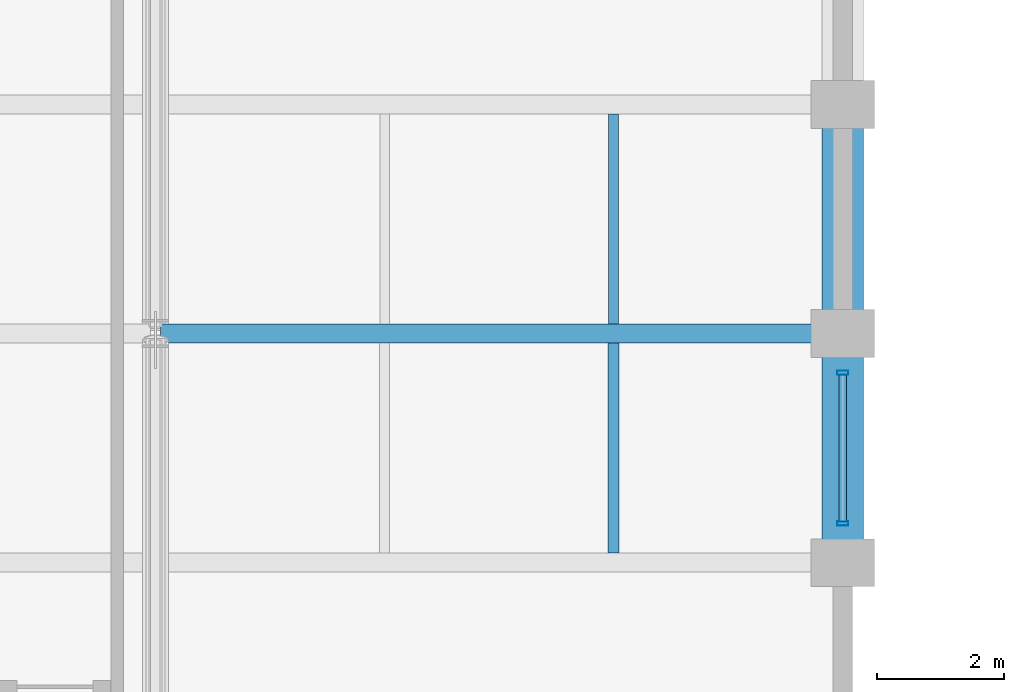
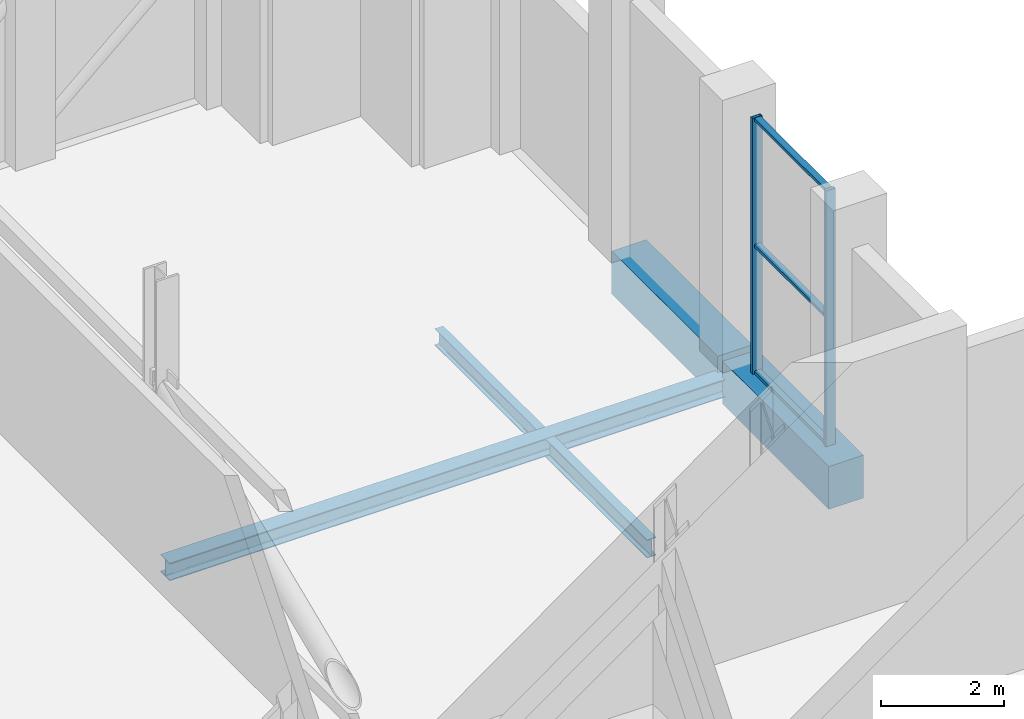
# One storey, part 7 of 19: 5 beams, 5 members, 1 element without a shape of its own.
"""IFC4 building model written with IfcOpenShell, lengths in metres."""

import ifcopenshell
import ifcopenshell.guid

model = None  # the IFC model being written
_history = None  # IfcOwnerHistory: only IFC2X3 demands one
_inside = {}  # id of a spatial element -> (the spatial element, [elements in it])
_under = {}  # id of a project, library or spatial element -> (it, [spatial elements below it])
_declared = {}  # id of a project -> (the project, [libraries it declares])
_typed = {}  # id of a type object -> (the type object, [elements of that type])
_made_of = {}  # id of a material, layer set ... -> (it, [elements and type objects made of it])


def new_model(schema):
    """Start an empty IFC model of exactly this schema.

    Asked for "IFC4X3", IfcOpenShell would pick the latest addendum, in which some entities
    have other attributes; the version numbers below select the first issue.
    IFC2X3 requires an IfcOwnerHistory on every rooted entity: one is made here for all.
    """
    global model, _history
    if schema == "IFC4X3":
        model = ifcopenshell.file(schema_version=(4, 3, 0, 0))
    else:
        model = ifcopenshell.file(schema=schema)
    _inside.clear()
    _under.clear()
    _declared.clear()
    _typed.clear()
    _made_of.clear()
    _history = None
    if model.schema == "IFC2X3":
        org = make("IfcOrganization", Name="unknown")
        user = make(
            "IfcPersonAndOrganization",
            ThePerson=make("IfcPerson", FamilyName="unknown"),
            TheOrganization=org,
        )
        app = make(
            "IfcApplication",
            ApplicationDeveloper=org,
            Version="unknown",
            ApplicationFullName="unknown",
            ApplicationIdentifier="unknown",
        )
        _history = make(
            "IfcOwnerHistory",
            OwningUser=user,
            OwningApplication=app,
            ChangeAction="ADDED",
            CreationDate=0,
        )
    return model


def make(cls, **values):
    """One entity of the class cls with the attributes given. An attribute that is None is left unset."""
    return model.create_entity(
        cls, **{name: value for name, value in values.items() if value is not None}
    )


def rooted(cls, **values):
    """An entity with a GlobalId (a new one), such as an element, a storey or a relation."""
    return make(cls, GlobalId=ifcopenshell.guid.new(), OwnerHistory=_history, **values)


def si_unit(unit_type, name, prefix=None):
    """IfcSIUnit, for example si_unit("LENGTHUNIT", "METRE", prefix="MILLI")."""
    return make("IfcSIUnit", UnitType=unit_type, Prefix=prefix, Name=name)


def assignment(units):
    """IfcUnitAssignment: the units of a project."""
    return None if units is None else make("IfcUnitAssignment", Units=units)


def point(xyz):
    """IfcCartesianPoint."""
    return None if xyz is None else make("IfcCartesianPoint", Coordinates=xyz)


def direction(xyz):
    """IfcDirection."""
    return None if xyz is None else make("IfcDirection", DirectionRatios=xyz)


def frame(location, z_axis=None, x_axis=None):
    """IfcAxis2Placement3D, a coordinate frame: its origin and axes. An axis left out is left unset."""
    return make(
        "IfcAxis2Placement3D",
        Location=point(location),
        Axis=direction(z_axis),
        RefDirection=direction(x_axis),
    )


def frame_2d(location, x_axis=None):
    """IfcAxis2Placement2D, a coordinate frame in the plane: its origin and x axis."""
    return make(
        "IfcAxis2Placement2D", Location=point(location), RefDirection=direction(x_axis)
    )


def origin():
    """The frame at (0, 0, 0) with its axes left unset."""
    return frame((0.0, 0.0, 0.0))


def origin_2d():
    """The frame at (0, 0) in the plane with its x axis left unset."""
    return frame_2d((0.0, 0.0))


def place(relative_to, where):
    """IfcLocalPlacement: puts the frame where relative to a parent placement (None: the world)."""
    return make(
        "IfcLocalPlacement", PlacementRelTo=relative_to, RelativePlacement=where
    )


def context(
    kind, dimensions, precision=None, world=None, true_north=None, identifier=None
):
    """IfcGeometricRepresentationContext, for example the 3D "Model" context."""
    return make(
        "IfcGeometricRepresentationContext",
        ContextIdentifier=identifier,
        ContextType=kind,
        CoordinateSpaceDimension=dimensions,
        Precision=precision,
        WorldCoordinateSystem=world,
        TrueNorth=true_north,
    )


def subcontext(parent, identifier, kind, view, scale=None):
    """IfcGeometricRepresentationSubContext, for example "Body" below "Model"."""
    return make(
        "IfcGeometricRepresentationSubContext",
        ContextIdentifier=identifier,
        ContextType=kind,
        ParentContext=parent,
        TargetScale=scale,
        TargetView=view,
    )


def project(units=None, contexts=None):
    """IfcProject with its units and contexts."""
    return rooted(
        "IfcProject",
        Name="project",
        RepresentationContexts=contexts,
        UnitsInContext=assignment(units),
    )


def spatial(cls, under=None, at=None, **own):
    """A site, building, storey or space (cls), placed at a placement, below another one or the project."""
    s = rooted(cls, ObjectPlacement=at, **own)
    if under is not None:
        _under.setdefault(under.id(), (under, []))[1].append(s)
    return s


def profile(cls, at=None, kind="AREA", **sizes):
    """A parametric profile (cls). Its sizes go by their IFC names, for example OverallWidth=200.0."""
    return make(cls, ProfileType=kind, Position=at, **sizes)


def rectangle(**sizes):
    """IfcRectangleProfileDef."""
    return profile("IfcRectangleProfileDef", **sizes)


def hollow_rectangle(**sizes):
    """IfcRectangleHollowProfileDef."""
    return profile("IfcRectangleHollowProfileDef", **sizes)


def i_section(**sizes):
    """IfcIShapeProfileDef."""
    return profile("IfcIShapeProfileDef", **sizes)


def extrude(swept, where, along, depth):
    """IfcExtrudedAreaSolid: the profile swept, set in the frame where, extruded along a direction by depth."""
    return make(
        "IfcExtrudedAreaSolid",
        SweptArea=swept,
        Position=where,
        ExtrudedDirection=direction(along),
        Depth=depth,
    )


def shape(context_of_items, identifier, shape_type, items):
    """IfcShapeRepresentation: the items that make up one representation, for example the "Body"."""
    return make(
        "IfcShapeRepresentation",
        ContextOfItems=context_of_items,
        RepresentationIdentifier=identifier,
        RepresentationType=shape_type,
        Items=items,
    )


def material(Name=None, Category=None):
    """IfcMaterial."""
    return make("IfcMaterial", Name=Name, Category=Category)


def layer(
    of_material, thickness, ventilated=None, Name=None, Category=None, Priority=None
):
    """IfcMaterialLayer: one layer of a wall or slab, of a material (None: an air gap)."""
    return make(
        "IfcMaterialLayer",
        Material=of_material,
        LayerThickness=thickness,
        IsVentilated=ventilated,
        Name=Name,
        Category=Category,
        Priority=Priority,
    )


def layer_set(layers, Name=None):
    """IfcMaterialLayerSet."""
    return make("IfcMaterialLayerSet", MaterialLayers=layers, LayerSetName=Name)


def material_profile(
    of_material, cross_section, Name=None, Category=None, Priority=None
):
    """IfcMaterialProfile: a cross section and its material."""
    return make(
        "IfcMaterialProfile",
        Name=Name,
        Material=of_material,
        Profile=cross_section,
        Priority=Priority,
        Category=Category,
    )


def profile_set(profiles, Name=None, composite=None):
    """IfcMaterialProfileSet."""
    return make(
        "IfcMaterialProfileSet",
        Name=Name,
        MaterialProfiles=profiles,
        CompositeProfile=composite,
    )


def made_of(thing, what):
    """Note that an element or type object is made of a material, layer set ...; save() writes the relation."""
    if what is not None:
        _made_of.setdefault(what.id(), (what, []))[1].append(thing)
    return thing


def type_object(cls, material=None, **own):
    """A type object (cls), such as IfcWallType, which elements share."""
    return made_of(rooted(cls, **own), material)


def element(
    cls,
    number,
    at=None,
    inside=None,
    cuts=None,
    type_object=None,
    material=None,
    context=None,
    identifier="Body",
    shape_type=None,
    held_by="IfcProductDefinitionShape",
    body=None,
    shapes=None,
    **own,
):
    """One element of the class cls, such as IfcWall. Its Tag is "e" and its number.

    at: its placement. inside: the storey or other place that contains it. cuts: it is an
    opening in that element (IfcRelVoidsElement). A single representation is given by context,
    identifier, shape_type and body (its items); several are given by shapes. held_by: the class
    of the entity that holds the representations. save() writes the other relations.
    """
    e = rooted(cls, Tag="e%d" % number, ObjectPlacement=at, **own)
    if body is not None:
        shapes = [shape(context, identifier, shape_type, body)]
    if shapes is not None:
        e.Representation = make(held_by, Representations=shapes)
    if inside is not None:
        _inside.setdefault(inside.id(), (inside, []))[1].append(e)
    if cuts is not None:
        rooted(
            "IfcRelVoidsElement", RelatingBuildingElement=cuts, RelatedOpeningElement=e
        )
    if type_object is not None:
        _typed.setdefault(type_object.id(), (type_object, []))[1].append(e)
    return made_of(e, material)


def aggregate(whole, parts):
    """IfcRelAggregates: a whole, such as a stair, and the parts it consists of."""
    return rooted("IfcRelAggregates", RelatingObject=whole, RelatedObjects=parts)


def save(model, path):
    """Write the relations noted so far, then the file.

    IfcRelAggregates (storeys below a building ...), IfcRelContainedInSpatialStructure (elements
    in a storey), IfcRelDefinesByType, IfcRelAssociatesMaterial and IfcRelDeclares: one each for
    every whole, place, type object, material and project.
    """
    for whole, parts in _under.values():
        aggregate(whole, parts)
    for where, things in _inside.values():
        rooted(
            "IfcRelContainedInSpatialStructure",
            RelatedElements=things,
            RelatingStructure=where,
        )
    for kind, things in _typed.values():
        rooted("IfcRelDefinesByType", RelatedObjects=things, RelatingType=kind)
    for what, things in _made_of.values():
        rooted("IfcRelAssociatesMaterial", RelatedObjects=things, RelatingMaterial=what)
    for by, libraries in _declared.values():
        rooted("IfcRelDeclares", RelatingContext=by, RelatedDefinitions=libraries)
    model.write(path)


model = new_model("IFC4")

# Units and contexts
model_context = context("Model", 3, precision=1e-05, world=origin(), true_north=direction((0.0, 1.0)))
body_context = subcontext(model_context, "Body", "Model", "MODEL_VIEW")
ifc_project = project(units=[si_unit("LENGTHUNIT", "METRE"), si_unit("AREAUNIT", "SQUARE_METRE"), si_unit("VOLUMEUNIT", "CUBIC_METRE"), si_unit("PLANEANGLEUNIT", "RADIAN"), si_unit("MASSUNIT", "GRAM", prefix="KILO")], contexts=[model_context])

# Site, building, storey
site_placement = place(None, origin())
site = spatial("IfcSite", under=ifc_project, at=site_placement, CompositionType="ELEMENT")
building_placement = place(site_placement, origin())
building = spatial("IfcBuilding", under=site, at=building_placement, Name="Solnavia Interchange Tower", CompositionType="ELEMENT")
storey_placement = place(building_placement, frame((0.0, 0.0, 169.39990234375)))
storey = spatial("IfcBuildingStorey", under=building, at=storey_placement, Name="L42", CompositionType="ELEMENT", Elevation=169.39990234375)

# Beams
ifc_material_1 = material(Name="Steel S355", Category="steel")
ifc_material_profile_1 = material_profile(ifc_material_1, i_section(OverallWidth=0.159912109375, OverallDepth=0.330078125, WebThickness=0.007568359375, FlangeThickness=0.011474609375, FilletRadius=0.01806640625, at=origin_2d()), Name="IPE 330")
ifc_profile_set_1 = profile_set([ifc_material_profile_1], Name="Steel S355")
beam_type_1 = type_object("IfcBeamType", Name="Beam-Joist-IPE330", PredefinedType="JOIST", material=ifc_profile_set_1)
beam_1_placement = place(storey_placement, frame((25.199951171875, 32.550048828125, -0.48486328125), z_axis=(0.0, 1.0, 0.0), x_axis=(-1.0, 0.0, 0.0)))
element("IfcBeam", 1, at=beam_1_placement, inside=storey, type_object=beam_type_1, Name="JST-L42-N20 North wing secondary joist", PredefinedType="JOIST", context=body_context, shape_type="SweptSolid", body=[
    extrude(i_section(OverallWidth=0.159912109375, OverallDepth=0.330078125, WebThickness=0.007568359375, FlangeThickness=0.011474609375, FilletRadius=0.01806640625, at=origin_2d()), origin(), (0.0, 0.0, 1.0), 3.300048828125),
])
ifc_material_profile_2 = material_profile(ifc_material_1, i_section(OverallWidth=0.169921875, OverallDepth=0.360107421875, WebThickness=0.008056640625, FlangeThickness=0.0126953125, FilletRadius=0.01806640625, at=origin_2d()), Name="IPE 360")
ifc_profile_set_2 = profile_set([ifc_material_profile_2], Name="Steel S355")
beam_type_2 = type_object("IfcBeamType", Name="Beam-Joist-IPE360", PredefinedType="JOIST", material=ifc_profile_set_2)
beam_2_placement = place(storey_placement, frame((25.199951171875, 28.949951171875, -0.5), z_axis=(0.0, 1.0, 0.0), x_axis=(-1.0, 0.0, 0.0)))
element("IfcBeam", 2, at=beam_2_placement, inside=storey, type_object=beam_type_2, Name="JST-L42-N19 North wing secondary joist", PredefinedType="JOIST", context=body_context, shape_type="SweptSolid", body=[
    extrude(i_section(OverallWidth=0.169921875, OverallDepth=0.360107421875, WebThickness=0.008056640625, FlangeThickness=0.0126953125, FilletRadius=0.01806640625, at=origin_2d()), origin(), (0.0, 0.0, 1.0), 3.300048828125),
])
ifc_material_profile_3 = material_profile(ifc_material_1, i_section(OverallWidth=0.300048828125, OverallDepth=0.35009765625, WebThickness=0.010009765625, FlangeThickness=0.017578125, FilletRadius=0.027099609375, at=origin_2d()), Name="HEA 360")
ifc_profile_set_3 = profile_set([ifc_material_profile_3], Name="Steel S355")
beam_type_3 = type_object("IfcBeamType", Name="Beam-Primary-HEA360", PredefinedType="BEAM", material=ifc_profile_set_3)
beam_3_placement = place(storey_placement, frame((18.080078125, 32.39990234375, -0.494873046875), z_axis=(1.0, 0.0, 0.0), x_axis=(0.0, 1.0, 0.0)))
element("IfcBeam", 3, at=beam_3_placement, inside=storey, type_object=beam_type_3, Name="GRD-L42-NW12 North wing primary floor girder", PredefinedType="BEAM", context=body_context, shape_type="SweptSolid", body=[
    extrude(i_section(OverallWidth=0.300048828125, OverallDepth=0.35009765625, WebThickness=0.010009765625, FlangeThickness=0.017578125, FilletRadius=0.027099609375, at=origin_2d()), origin(), (0.0, 0.0, 1.0), 10.639892578125),
])
ifc_material_2 = material(Name="Concrete C50/60", Category="concrete")
ifc_material_profile_4 = material_profile(ifc_material_2, rectangle(XDim=0.64990234375, YDim=0.85009765625, at=origin_2d()), Name="RC 650x850")
ifc_profile_set_4 = profile_set([ifc_material_profile_4], Name="Concrete C50/60")
beam_type_4 = type_object("IfcBeamType", Name="Beam-Spandrel-RC650x850", PredefinedType="SPANDREL", material=ifc_profile_set_4)
beam_4_placement = place(storey_placement, frame((28.800048828125, 28.8798828125, -0.4248046875), z_axis=(0.0, 1.0, 0.0), x_axis=(-1.0, 0.0, 0.0)))
element("IfcBeam", 4, at=beam_4_placement, inside=storey, type_object=beam_type_4, Name="SPB-L42-25 Framed-tube perimeter spandrel beam", PredefinedType="SPANDREL", context=body_context, shape_type="SweptSolid", body=[
    extrude(rectangle(XDim=0.64990234375, YDim=0.85009765625, at=origin_2d()), origin(), (0.0, 0.0, 1.0), 3.440185546875),
])
beam_5_placement = place(storey_placement, frame((28.800048828125, 32.47998046875, -0.4248046875), z_axis=(0.0, 1.0, 0.0), x_axis=(-1.0, 0.0, 0.0)))
element("IfcBeam", 5, at=beam_5_placement, inside=storey, type_object=beam_type_4, Name="SPB-L42-26 Framed-tube perimeter spandrel beam", PredefinedType="SPANDREL", context=body_context, shape_type="SweptSolid", body=[
    extrude(rectangle(XDim=0.64990234375, YDim=0.85009765625, at=origin_2d()), origin(), (0.0, 0.0, 1.0), 3.43994140625),
])

# Curtain wall, members
ifc_material_3 = material(Name="Aluminium Alloy 6063-T6", Category="aluminium")
ifc_layer = layer(ifc_material_3, 0.199951171875)
ifc_layer_set = layer_set([ifc_layer], Name="Aluminium Alloy 6063-T6")
curtain_wall_type = type_object("IfcCurtainWallType", Name="CurtainWall-Louvre-CTW5", PredefinedType="NOTDEFINED", material=ifc_layer_set)
curtain_wall_placement = place(storey_placement, origin())
curtain_wall = element("IfcCurtainWall", 6, at=curtain_wall_placement, inside=storey, type_object=curtain_wall_type, Name="CTW-L42-L27 CTW-5 curtain wall", PredefinedType="NOTDEFINED")
ifc_material_profile_5 = material_profile(ifc_material_3, hollow_rectangle(XDim=0.06494140625, YDim=0.179931640625, WallThickness=0.00439453125, at=origin_2d()), Name="ALU 180x65x4.5")
ifc_profile_set_5 = profile_set([ifc_material_profile_5], Name="Aluminium Alloy 6063-T6")
member_type_1 = type_object("IfcMemberType", Name="CW-Mullion-CWM-5", PredefinedType="MULLION", material=ifc_profile_set_5)
member_1_placement = place(storey_placement, frame((28.800048828125, 29.4150390625, 0.0), z_axis=(0.0, 0.0, 1.0), x_axis=(0.0, 1.0, 0.0)))
member_1 = element("IfcMember", 7, at=member_1_placement, type_object=member_type_1, Name="CTW-5 mullion 1", PredefinedType="MULLION", context=body_context, shape_type="SweptSolid", body=[
    extrude(hollow_rectangle(XDim=0.06494140625, YDim=0.179931640625, WallThickness=0.00439453125, at=origin_2d()), origin(), (0.0, 0.0, 1.0), 5.065185546875),
])
member_2_placement = place(storey_placement, frame((28.800048828125, 31.784912109375, 0.0), z_axis=(0.0, 0.0, 1.0), x_axis=(0.0, 1.0, 0.0)))
member_2 = element("IfcMember", 8, at=member_2_placement, type_object=member_type_1, Name="CTW-5 mullion 2", PredefinedType="MULLION", context=body_context, shape_type="SweptSolid", body=[
    extrude(hollow_rectangle(XDim=0.06494140625, YDim=0.179931640625, WallThickness=0.00439453125, at=origin_2d()), origin(), (0.0, 0.0, 1.0), 5.065185546875),
])
ifc_material_profile_6 = material_profile(ifc_material_3, hollow_rectangle(XDim=0.06005859375, YDim=0.1201171875, WallThickness=0.00390625, at=origin_2d()), Name="ALU 120x60x4")
ifc_profile_set_6 = profile_set([ifc_material_profile_6], Name="Aluminium Alloy 6063-T6")
member_type_2 = type_object("IfcMemberType", Name="CW-Transom-CWT-5", PredefinedType="USERDEFINED", material=ifc_profile_set_6)
member_3_placement = place(storey_placement, frame((28.800048828125, 29.447509765625, 0.030029296875), z_axis=(0.0, 1.0, 0.0), x_axis=(0.0, 0.0, 1.0)))
member_3 = element("IfcMember", 9, at=member_3_placement, type_object=member_type_2, Name="CTW-5 transom 1.1", ObjectType="TRANSOM", PredefinedType="USERDEFINED", context=body_context, shape_type="SweptSolid", body=[
    extrude(hollow_rectangle(XDim=0.06005859375, YDim=0.1201171875, WallThickness=0.00390625, at=origin_2d()), origin(), (0.0, 0.0, 1.0), 2.304931640625),
])
member_4_placement = place(storey_placement, frame((28.800048828125, 29.447509765625, 2.533203125), z_axis=(0.0, 1.0, 0.0), x_axis=(0.0, 0.0, 1.0)))
member_4 = element("IfcMember", 10, at=member_4_placement, type_object=member_type_2, Name="CTW-5 transom 1.2", ObjectType="TRANSOM", PredefinedType="USERDEFINED", context=body_context, shape_type="SweptSolid", body=[
    extrude(hollow_rectangle(XDim=0.06005859375, YDim=0.1201171875, WallThickness=0.00390625, at=origin_2d()), origin(), (0.0, 0.0, 1.0), 2.304931640625),
])
member_5_placement = place(storey_placement, frame((28.800048828125, 29.447509765625, 5.03515625), z_axis=(0.0, 1.0, 0.0), x_axis=(0.0, 0.0, 1.0)))
member_5 = element("IfcMember", 11, at=member_5_placement, type_object=member_type_2, Name="CTW-5 transom 1.3", ObjectType="TRANSOM", PredefinedType="USERDEFINED", context=body_context, shape_type="SweptSolid", body=[
    extrude(hollow_rectangle(XDim=0.06005859375, YDim=0.1201171875, WallThickness=0.00390625, at=origin_2d()), origin(), (0.0, 0.0, 1.0), 2.304931640625),
])
aggregate(curtain_wall, [member_1, member_2, member_3, member_4, member_5])

save(model, "model.ifc")
